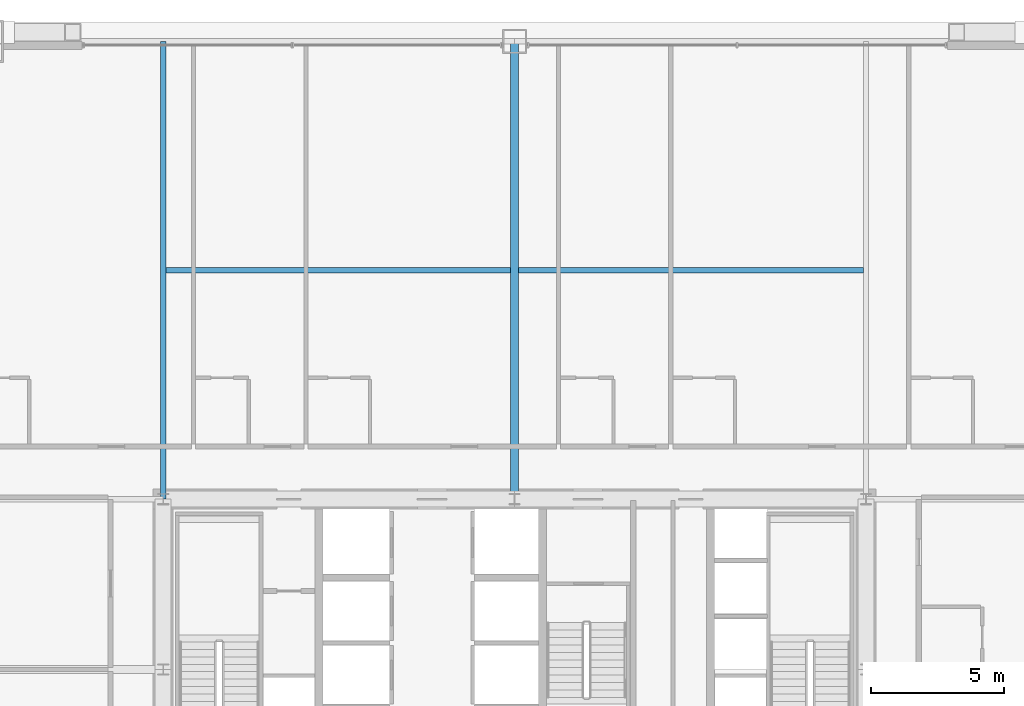
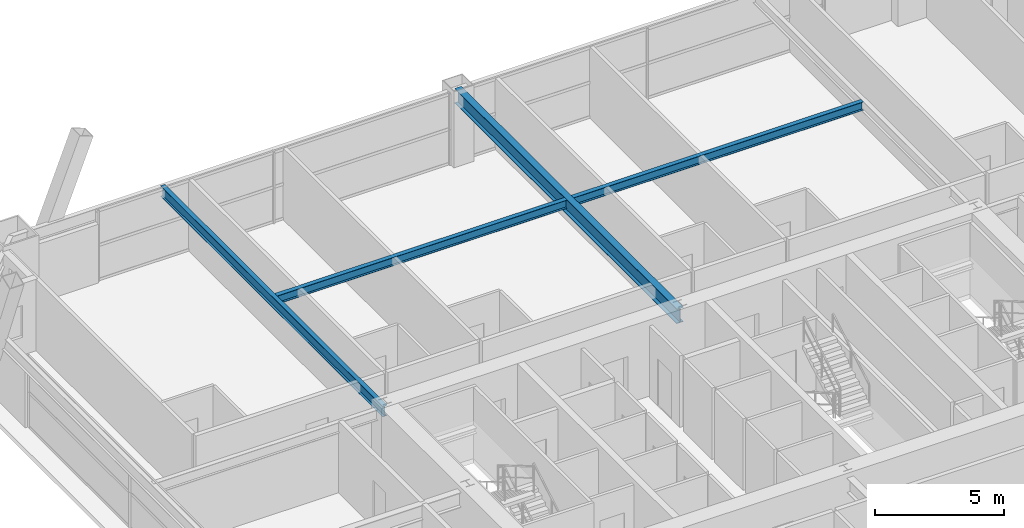
# One storey, part 25 of 41: 4 beams.
"""IFC4 building model written with IfcOpenShell, lengths in metres."""

from ifc_helpers import new_model, si_unit, direction, frame, origin, origin_2d, place, context, subcontext, project, spatial, i_section, extrude, source, transform, mapped, material, material_profile, profile_set, type_object, element, save


model = new_model("IFC4")

# Units and contexts
model_context = context("Model", 3, precision=1e-05, world=origin(), true_north=direction((0.0, 1.0)))
body_context = subcontext(model_context, "Body", "Model", "MODEL_VIEW")
ifc_project = project(units=[si_unit("LENGTHUNIT", "METRE"), si_unit("AREAUNIT", "SQUARE_METRE"), si_unit("VOLUMEUNIT", "CUBIC_METRE"), si_unit("PLANEANGLEUNIT", "RADIAN"), si_unit("MASSUNIT", "GRAM", prefix="KILO"), si_unit("THERMODYNAMICTEMPERATUREUNIT", "KELVIN"), si_unit("POWERUNIT", "WATT")], contexts=[model_context])

# Site, building, storey
site_placement = place(None, origin())
site = spatial("IfcSite", under=ifc_project, at=site_placement, CompositionType="ELEMENT")
building_placement = place(site_placement, origin())
building = spatial("IfcBuilding", under=site, at=building_placement, Name="Yuzanri Waterfront Tower", CompositionType="ELEMENT")
storey_placement = place(building_placement, frame((0.0, 0.0, 152.39990234375)))
storey = spatial("IfcBuildingStorey", under=building, at=storey_placement, Name="L40", CompositionType="ELEMENT", Elevation=152.39990234375)

# Beams
ifc_material_1 = material(Name="Steel Q355B", Category="steel")
ifc_material_profile_1 = material_profile(ifc_material_1, i_section(OverallWidth=0.199951171875, OverallDepth=0.39990234375, WebThickness=0.008056640625, FlangeThickness=0.012939453125, at=origin_2d()), Name="HN 400x200x8x13")
ifc_profile_set_1 = profile_set([ifc_material_profile_1], Name="Steel Q355B")
beam_type_1 = type_object("IfcBeamType", Name="Floor Joist Q355B HN 400x200", PredefinedType="JOIST", material=ifc_profile_set_1)
shared_shape_1 = source(origin(), body_context, "Body", "SweptSolid", [
    extrude(i_section(OverallWidth=0.199951171875, OverallDepth=0.39990234375, WebThickness=0.008056640625, FlangeThickness=0.012939453125, at=origin_2d()), origin(), (0.0, 0.0, 1.0), 12.9501953125),
])
for number, where, z_axis, x_axis, name in (
    (1, (23.89990234375, 40.800048828125, 3.18017578125), (1.0, 0.0, 0.0), (0.0, 1.0, 0.0), "L40 North Bay Joist W"),
    (2, (37.14990234375, 40.800048828125, 3.18017578125), (1.0, 0.0, 0.0), (0.0, 1.0, 0.0), "L40 North Bay Joist E"),
):
    element("IfcBeam", number, at=place(storey_placement, frame(where, z_axis=z_axis, x_axis=x_axis)), inside=storey, type_object=beam_type_1, Name=name, PredefinedType="JOIST", context=body_context, shape_type="MappedRepresentation", body=[
        mapped(shared_shape_1, transform((0.0, 0.0, 0.0), scale=1.0)),
    ])
ifc_material_2 = material(Name="Steel Q355B", Category="steel")
ifc_material_profile_2 = material_profile(ifc_material_2, i_section(OverallWidth=0.300048828125, OverallDepth=0.699951171875, WebThickness=0.012939453125, FlangeThickness=0.02392578125, at=origin_2d()), Name="HN 700x300x13x24")
ifc_profile_set_2 = profile_set([ifc_material_profile_2], Name="Steel Q355B")
beam_type_2 = type_object("IfcBeamType", Name="Primary Floor Girder Q355B HN 700x300", PredefinedType="BEAM", material=ifc_profile_set_2)
shared_shape_2 = source(origin(), body_context, "Body", "SweptSolid", [
    extrude(i_section(OverallWidth=0.300048828125, OverallDepth=0.699951171875, WebThickness=0.012939453125, FlangeThickness=0.02392578125, at=origin_2d()), origin(), (0.0, 0.0, 1.0), 17.199951171875),
])
beam_1_placement = place(storey_placement, frame((37.0, 32.199951171875, 3.030029296875), z_axis=(0.0, 1.0, 0.0), x_axis=(-1.0, 0.0, 0.0)))
element("IfcBeam", 3, at=beam_1_placement, inside=storey, type_object=beam_type_2, Name="L40 North Grid Girder", PredefinedType="BEAM", context=body_context, shape_type="MappedRepresentation", body=[
    mapped(shared_shape_2, transform((0.0, 0.0, 0.0), scale=1.0)),
])
ifc_material_3 = material(Name="Steel Q355B", Category="steel")
ifc_material_profile_3 = material_profile(ifc_material_3, i_section(OverallWidth=0.199951171875, OverallDepth=0.5, WebThickness=0.010009765625, FlangeThickness=0.01611328125, at=origin_2d()), Name="HN 500x200x10x16")
ifc_profile_set_3 = profile_set([ifc_material_profile_3], Name="Steel Q355B")
beam_type_3 = type_object("IfcBeamType", Name="Secondary Floor Beam Q355B HN 500x200", PredefinedType="BEAM", material=ifc_profile_set_3)
shared_shape_3 = source(origin(), body_context, "Body", "SweptSolid", [
    extrude(i_section(OverallWidth=0.199951171875, OverallDepth=0.5, WebThickness=0.010009765625, FlangeThickness=0.01611328125, at=origin_2d()), origin(), (0.0, 0.0, 1.0), 17.199951171875),
])
beam_2_placement = place(storey_placement, frame((23.800048828125, 32.199951171875, 3.130126953125), z_axis=(0.0, 1.0, 0.0), x_axis=(-1.0, 0.0, 0.0)))
element("IfcBeam", 4, at=beam_2_placement, inside=storey, type_object=beam_type_3, Name="L40 North-West Core Line Beam", PredefinedType="BEAM", context=body_context, shape_type="MappedRepresentation", body=[
    mapped(shared_shape_3, transform((0.0, 0.0, 0.0), scale=1.0)),
])

save(model, "model.ifc")
